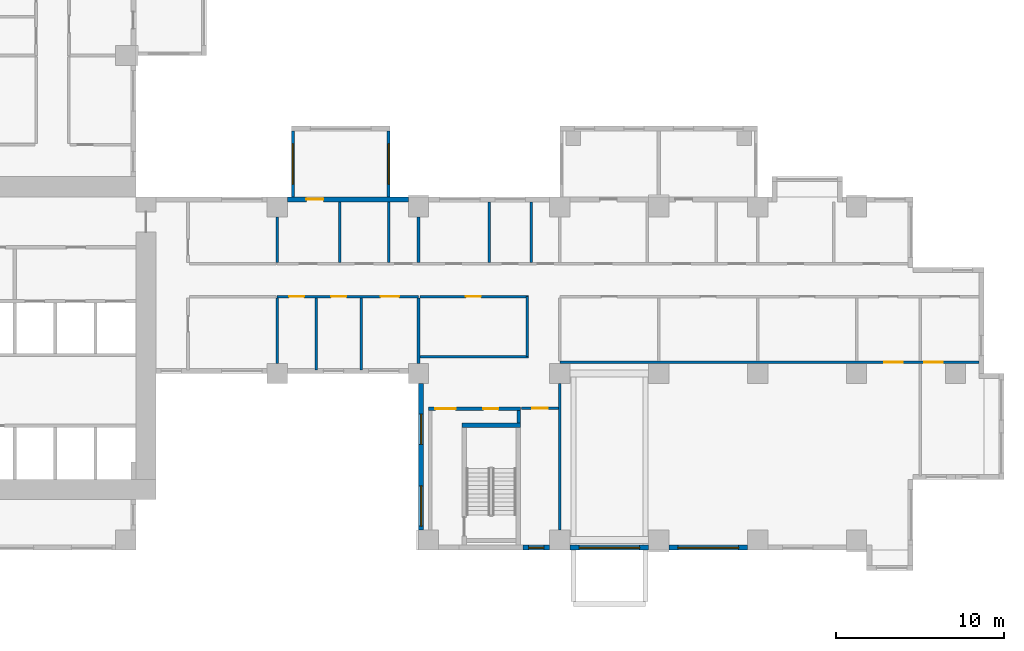
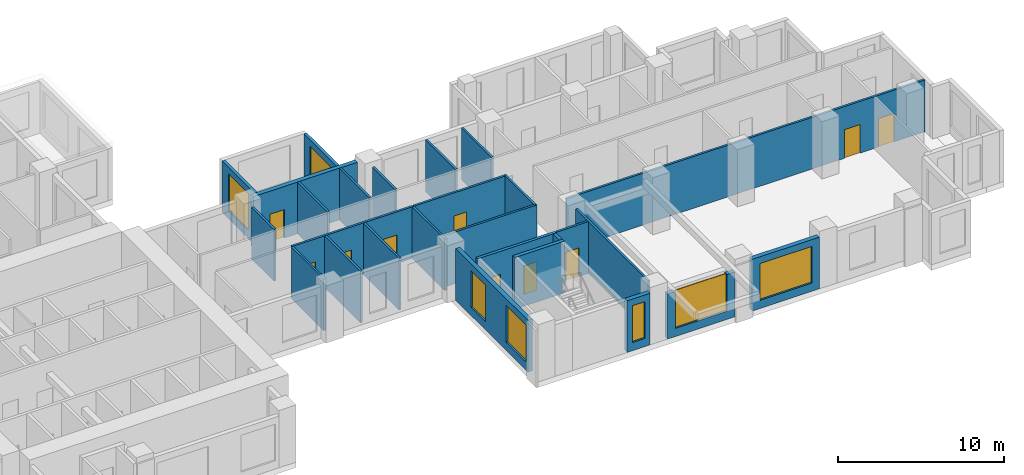
# One storey, part 4 of 14: 27 walls, 10 doors, 7 windows, 17 openings.
"""IFC4 building model written with IfcOpenShell, lengths in metres."""

from ifc_helpers import new_model, si_unit, direction, frame, frame_2d, origin, place, context, subcontext, project, spatial, rectangle, extrude, source, transform, mapped, material, layer, layer_set, type_object, element, fill, save


model = new_model("IFC4")

# Units and contexts
model_context = context("Model", 3, precision=1e-05, world=origin(), true_north=direction((0.0, 1.0)))
body_context = subcontext(model_context, "Body", "Model", "MODEL_VIEW")
ifc_project = project(units=[si_unit("LENGTHUNIT", "METRE"), si_unit("AREAUNIT", "SQUARE_METRE"), si_unit("VOLUMEUNIT", "CUBIC_METRE"), si_unit("PLANEANGLEUNIT", "RADIAN"), si_unit("MASSUNIT", "GRAM", prefix="KILO")], contexts=[model_context])

# Site, building, storey
site_placement = place(None, origin())
site = spatial("IfcSite", under=ifc_project, at=site_placement, CompositionType="ELEMENT")
building_placement = place(site_placement, origin())
building = spatial("IfcBuilding", under=site, at=building_placement, Name="Aurelian Terraces", CompositionType="ELEMENT")
storey_placement = place(building_placement, frame((0.0, 0.0, 53.1)))
storey = spatial("IfcBuildingStorey", under=building, at=storey_placement, Name="L10", CompositionType="ELEMENT", Elevation=53.1)

# Wall, opening, door
ifc_material_1 = material(Name="Terracotta rainscreen cladding", Category="masonry")
ifc_layer_1 = layer(ifc_material_1, 0.3)
ifc_layer_set_1 = layer_set([ifc_layer_1], Name="EW-300")
wall_type_1 = type_object("IfcWallType", Name="EW-300", PredefinedType="STANDARD", material=ifc_layer_set_1)
shared_shape_1 = source(origin(), body_context, "Body", "SweptSolid", [
    extrude(rectangle(XDim=7.2, YDim=0.3, at=frame_2d((3.6, 0.0))), origin(), (0.0, 0.0, 1.0), 3.8),
])
wall_1_placement = place(storey_placement, frame((37.2, 20.85, 0.0), z_axis=(0.0, 0.0, 1.0), x_axis=(-1.0, 0.0, 0.0)))
wall_1 = element("IfcWall", 1, at=wall_1_placement, inside=storey, type_object=wall_type_1, Name="External wall L10 F11.24", PredefinedType="STANDARD", context=body_context, shape_type="MappedRepresentation", body=[
    mapped(shared_shape_1, transform((0.0, 0.0, 0.0), scale=1.0)),
])
shared_shape_2 = source(origin(), body_context, "Body", "SweptSolid", [
    extrude(rectangle(XDim=1.0, YDim=2.1, at=frame_2d((0.5, 1.05))), frame((0.0, 0.16, 0.0), z_axis=(0.0, -1.0, 0.0), x_axis=(1.0, 0.0, 0.0)), (0.0, 0.0, 1.0), 0.32),
])
opening_1_placement = place(wall_1_placement, frame((5.06, 0.0, 0.0)))
opening_1 = element("IfcOpeningElement", 2, at=opening_1_placement, cuts=wall_1, Name="Opening 810002", PredefinedType="OPENING", context=body_context, shape_type="MappedRepresentation", body=[
    mapped(shared_shape_2, transform((0.0, 0.0, 0.0), scale=1.0)),
])
ifc_material_2 = material(Name="Timber door leaf", Category="wood")
door_type_1 = type_object("IfcDoorType", Name="Room door 1000x2100 left", OperationType="SINGLE_SWING_LEFT", PredefinedType="DOOR", material=ifc_material_2)
shared_shape_3 = source(origin(), body_context, "Body", "SweptSolid", [
    extrude(rectangle(XDim=1.0, YDim=2.1, at=frame_2d((0.5, 1.05))), frame((0.0, 0.025, 0.0), z_axis=(0.0, -1.0, 0.0), x_axis=(1.0, 0.0, 0.0)), (0.0, 0.0, 1.0), 0.05),
])
door_1_placement = place(opening_1_placement, origin())
door_1 = element("IfcDoor", 3, at=door_1_placement, inside=storey, type_object=door_type_1, Name="Door 810002", OperationType="SINGLE_SWING_LEFT", OverallHeight=2.1, OverallWidth=1.0, PredefinedType="DOOR", context=body_context, shape_type="MappedRepresentation", body=[
    mapped(shared_shape_3, transform((0.0, 0.0, 0.0), scale=1.0)),
])
fill(opening_1, door_1)

# Wall, opening, window
shared_shape_4 = source(origin(), body_context, "Body", "SweptSolid", [
    extrude(rectangle(XDim=4.68, YDim=0.3, at=frame_2d((2.34, 0.0))), origin(), (0.0, 0.0, 1.0), 3.8),
])
wall_2_placement = place(storey_placement, frame((52.68, 0.15, 0.0), z_axis=(0.0, 0.0, 1.0), x_axis=(1.0, 0.0, 0.0)))
wall_2 = element("IfcWall", 4, at=wall_2_placement, inside=storey, type_object=wall_type_1, Name="External wall L10 F05.11", PredefinedType="STANDARD", context=body_context, shape_type="MappedRepresentation", body=[
    mapped(shared_shape_4, transform((0.0, 0.0, 0.0), scale=1.0)),
])
shared_shape_5 = source(origin(), body_context, "Body", "SweptSolid", [
    extrude(rectangle(XDim=3.6, YDim=2.7, at=frame_2d((1.8, 1.35))), frame((0.0, 0.16, 0.0), z_axis=(0.0, -1.0, 0.0), x_axis=(1.0, 0.0, 0.0)), (0.0, 0.0, 1.0), 0.32),
])
opening_2_placement = place(wall_2_placement, frame((0.54, 0.0, 0.6)))
opening_2 = element("IfcOpeningElement", 5, at=opening_2_placement, cuts=wall_2, Name="Opening W3627", PredefinedType="OPENING", context=body_context, shape_type="MappedRepresentation", body=[
    mapped(shared_shape_5, transform((0.0, 0.0, 0.0), scale=1.0)),
])
ifc_material_3 = material(Name="Clear glazing", Category="glass")
window_type_1 = type_object("IfcWindowType", Name="W-3600x2700", PartitioningType="SINGLE_PANEL", PredefinedType="WINDOW", material=ifc_material_3)
shared_shape_6 = source(origin(), body_context, "Body", "SweptSolid", [
    extrude(rectangle(XDim=3.6, YDim=2.7, at=frame_2d((1.8, 1.35))), frame((0.0, 0.03, 0.0), z_axis=(0.0, -1.0, 0.0), x_axis=(1.0, 0.0, 0.0)), (0.0, 0.0, 1.0), 0.06),
])
window_1_placement = place(opening_2_placement, origin())
window_1 = element("IfcWindow", 6, at=window_1_placement, inside=storey, type_object=window_type_1, Name="Window L10 L10-F05-11-0", OverallHeight=2.7, OverallWidth=3.6, PartitioningType="SINGLE_PANEL", PredefinedType="WINDOW", context=body_context, shape_type="MappedRepresentation", body=[
    mapped(shared_shape_6, transform((0.0, 0.0, 0.0), scale=1.0)),
])
fill(opening_2, window_1)

shared_shape_7 = source(origin(), body_context, "Body", "SweptSolid", [
    extrude(rectangle(XDim=4.68, YDim=0.3, at=frame_2d((2.34, 0.0))), origin(), (0.0, 0.0, 1.0), 3.3),
])
wall_3_placement = place(storey_placement, frame((46.8, 0.15, 0.0), z_axis=(0.0, 0.0, 1.0), x_axis=(1.0, 0.0, 0.0)))
wall_3 = element("IfcWall", 7, at=wall_3_placement, inside=storey, type_object=wall_type_1, Name="External wall L10 F05.10", PredefinedType="STANDARD", context=body_context, shape_type="MappedRepresentation", body=[
    mapped(shared_shape_7, transform((0.0, 0.0, 0.0), scale=1.0)),
])
opening_3_placement = place(wall_3_placement, frame((0.54, 0.0, 0.6)))
opening_3 = element("IfcOpeningElement", 8, at=opening_3_placement, cuts=wall_3, Name="Opening W3627", PredefinedType="OPENING", context=body_context, shape_type="MappedRepresentation", body=[
    mapped(shared_shape_5, transform((0.0, 0.0, 0.0), scale=1.0)),
])
window_2_placement = place(opening_3_placement, origin())
window_2 = element("IfcWindow", 9, at=window_2_placement, inside=storey, type_object=window_type_1, Name="Window L10 L10-F05-10-0", OverallHeight=2.7, OverallWidth=3.6, PartitioningType="SINGLE_PANEL", PredefinedType="WINDOW", context=body_context, shape_type="MappedRepresentation", body=[
    mapped(shared_shape_6, transform((0.0, 0.0, 0.0), scale=1.0)),
])
fill(opening_3, window_2)

shared_shape_8 = source(origin(), body_context, "Body", "SweptSolid", [
    extrude(rectangle(XDim=1.6, YDim=0.3, at=frame_2d((0.8, 0.0))), origin(), (0.0, 0.0, 1.0), 3.8),
])
wall_4_placement = place(storey_placement, frame((44.0, 0.15, 0.0), z_axis=(0.0, 0.0, 1.0), x_axis=(1.0, 0.0, 0.0)))
wall_4 = element("IfcWall", 10, at=wall_4_placement, inside=storey, type_object=wall_type_1, Name="External wall L10 F05.9", PredefinedType="STANDARD", context=body_context, shape_type="MappedRepresentation", body=[
    mapped(shared_shape_8, transform((0.0, 0.0, 0.0), scale=1.0)),
])
shared_shape_9 = source(origin(), body_context, "Body", "SweptSolid", [
    extrude(rectangle(XDim=0.9, YDim=2.7, at=frame_2d((0.45, 1.35))), frame((0.0, 0.16, 0.0), z_axis=(0.0, -1.0, 0.0), x_axis=(1.0, 0.0, 0.0)), (0.0, 0.0, 1.0), 0.32),
])
opening_4_placement = place(wall_4_placement, frame((0.35, 0.0, 0.6)))
opening_4 = element("IfcOpeningElement", 11, at=opening_4_placement, cuts=wall_4, Name="Opening W0927", PredefinedType="OPENING", context=body_context, shape_type="MappedRepresentation", body=[
    mapped(shared_shape_9, transform((0.0, 0.0, 0.0), scale=1.0)),
])
window_type_2 = type_object("IfcWindowType", Name="W-900x2700", PartitioningType="SINGLE_PANEL", PredefinedType="WINDOW", material=ifc_material_3)
shared_shape_10 = source(origin(), body_context, "Body", "SweptSolid", [
    extrude(rectangle(XDim=0.9, YDim=2.7, at=frame_2d((0.45, 1.35))), frame((0.0, 0.03, 0.0), z_axis=(0.0, -1.0, 0.0), x_axis=(1.0, 0.0, 0.0)), (0.0, 0.0, 1.0), 0.06),
])
window_3_placement = place(opening_4_placement, origin())
window_3 = element("IfcWindow", 12, at=window_3_placement, inside=storey, type_object=window_type_2, Name="Window L10 L10-F05-09-P2", OverallHeight=2.7, OverallWidth=0.9, PartitioningType="SINGLE_PANEL", PredefinedType="WINDOW", context=body_context, shape_type="MappedRepresentation", body=[
    mapped(shared_shape_10, transform((0.0, 0.0, 0.0), scale=1.0)),
])
fill(opening_4, window_3)

ifc_material_4 = material(Name="Concrete fc' 40 MPa", Category="concrete")
ifc_layer_2 = layer(ifc_material_4, 0.2)
ifc_layer_set_2 = layer_set([ifc_layer_2], Name="BOX BEARING WALL 200")
wall_type_2 = type_object("IfcWallType", Name="BOX BEARING WALL 200", PredefinedType="SOLIDWALL", material=ifc_layer_set_2)
shared_shape_11 = source(origin(), body_context, "Body", "SweptSolid", [
    extrude(rectangle(XDim=3.9, YDim=0.2, at=frame_2d((1.95, 0.0))), origin(), (0.0, 0.0, 1.0), 3.79),
])
wall_5_placement = place(storey_placement, frame((36.02, 21.0, 0.0), z_axis=(0.0, 0.0, 1.0), x_axis=(0.0, 1.0, 0.0)))
wall_5 = element("IfcWall", 13, at=wall_5_placement, inside=storey, type_object=wall_type_2, Name="Box return L10 J06.1", PredefinedType="SOLIDWALL", context=body_context, shape_type="MappedRepresentation", body=[
    mapped(shared_shape_11, transform((0.0, 0.0, 0.0), scale=1.0)),
])
shared_shape_12 = source(origin(), body_context, "Body", "SweptSolid", [
    extrude(rectangle(XDim=2.4, YDim=2.7, at=frame_2d((1.2, 1.35))), frame((0.0, 0.11, 0.0), z_axis=(0.0, -1.0, 0.0), x_axis=(1.0, 0.0, 0.0)), (0.0, 0.0, 1.0), 0.22),
])
opening_5_placement = place(wall_5_placement, frame((0.75, 0.0, 0.6)))
opening_5 = element("IfcOpeningElement", 14, at=opening_5_placement, cuts=wall_5, Name="Opening W2427", PredefinedType="OPENING", context=body_context, shape_type="MappedRepresentation", body=[
    mapped(shared_shape_12, transform((0.0, 0.0, 0.0), scale=1.0)),
])
window_type_3 = type_object("IfcWindowType", Name="W-2400x2700", PartitioningType="SINGLE_PANEL", PredefinedType="WINDOW", material=ifc_material_3)
shared_shape_13 = source(origin(), body_context, "Body", "SweptSolid", [
    extrude(rectangle(XDim=2.4, YDim=2.7, at=frame_2d((1.2, 1.35))), frame((0.0, 0.03, 0.0), z_axis=(0.0, -1.0, 0.0), x_axis=(1.0, 0.0, 0.0)), (0.0, 0.0, 1.0), 0.06),
])
window_4_placement = place(opening_5_placement, origin())
window_4 = element("IfcWindow", 15, at=window_4_placement, inside=storey, type_object=window_type_3, Name="Window L10 J06-S1", OverallHeight=2.7, OverallWidth=2.4, PartitioningType="SINGLE_PANEL", PredefinedType="WINDOW", context=body_context, shape_type="MappedRepresentation", body=[
    mapped(shared_shape_13, transform((0.0, 0.0, 0.0), scale=1.0)),
])
fill(opening_5, window_4)

wall_6_placement = place(storey_placement, frame((30.34, 21.0, 0.0), z_axis=(0.0, 0.0, 1.0), x_axis=(0.0, 1.0, 0.0)))
wall_6 = element("IfcWall", 16, at=wall_6_placement, inside=storey, type_object=wall_type_2, Name="Box return L10 J06.2", PredefinedType="SOLIDWALL", context=body_context, shape_type="MappedRepresentation", body=[
    mapped(shared_shape_11, transform((0.0, 0.0, 0.0), scale=1.0)),
])
opening_6_placement = place(wall_6_placement, frame((0.75, 0.0, 0.6)))
opening_6 = element("IfcOpeningElement", 17, at=opening_6_placement, cuts=wall_6, Name="Opening W2427", PredefinedType="OPENING", context=body_context, shape_type="MappedRepresentation", body=[
    mapped(shared_shape_12, transform((0.0, 0.0, 0.0), scale=1.0)),
])
window_5_placement = place(opening_6_placement, origin())
window_5 = element("IfcWindow", 18, at=window_5_placement, inside=storey, type_object=window_type_3, Name="Window L10 J06-S2", OverallHeight=2.7, OverallWidth=2.4, PartitioningType="SINGLE_PANEL", PredefinedType="WINDOW", context=body_context, shape_type="MappedRepresentation", body=[
    mapped(shared_shape_13, transform((0.0, 0.0, 0.0), scale=1.0)),
])
fill(opening_6, window_5)

# Wall, openings, windows
shared_shape_14 = source(origin(), body_context, "Body", "SweptSolid", [
    extrude(rectangle(XDim=8.7, YDim=0.3, at=frame_2d((4.35, 0.0))), origin(), (0.0, 0.0, 1.0), 3.8),
])
wall_7_placement = place(storey_placement, frame((37.95, 9.9, 0.0), z_axis=(0.0, 0.0, 1.0), x_axis=(0.0, -1.0, 0.0)))
wall_7 = element("IfcWall", 19, at=wall_7_placement, inside=storey, type_object=wall_type_1, Name="External wall L10 F04.8", PredefinedType="STANDARD", context=body_context, shape_type="MappedRepresentation", body=[
    mapped(shared_shape_14, transform((0.0, 0.0, 0.0), scale=1.0)),
])
shared_shape_15 = source(origin(), body_context, "Body", "SweptSolid", [
    extrude(rectangle(XDim=1.8, YDim=2.7, at=frame_2d((0.9, 1.35))), frame((0.0, 0.16, 0.0), z_axis=(0.0, -1.0, 0.0), x_axis=(1.0, 0.0, 0.0)), (0.0, 0.0, 1.0), 0.32),
])
opening_7_placement = place(wall_7_placement, frame((1.8125, 0.0, 0.6)))
opening_7 = element("IfcOpeningElement", 20, at=opening_7_placement, cuts=wall_7, Name="Opening W1827", PredefinedType="OPENING", context=body_context, shape_type="MappedRepresentation", body=[
    mapped(shared_shape_15, transform((0.0, 0.0, 0.0), scale=1.0)),
])
shared_shape_16 = source(origin(), body_context, "Body", "SweptSolid", [
    extrude(rectangle(XDim=2.4, YDim=2.7, at=frame_2d((1.2, 1.35))), frame((0.0, 0.16, 0.0), z_axis=(0.0, -1.0, 0.0), x_axis=(1.0, 0.0, 0.0)), (0.0, 0.0, 1.0), 0.32),
])
opening_8_placement = place(wall_7_placement, frame((6.075, 0.0, 0.6)))
opening_8 = element("IfcOpeningElement", 21, at=opening_8_placement, cuts=wall_7, Name="Opening W2427", PredefinedType="OPENING", context=body_context, shape_type="MappedRepresentation", body=[
    mapped(shared_shape_16, transform((0.0, 0.0, 0.0), scale=1.0)),
])
window_6_placement = place(opening_8_placement, origin())
window_6 = element("IfcWindow", 22, at=window_6_placement, inside=storey, type_object=window_type_3, Name="Window L10 L10-F04-08-1", OverallHeight=2.7, OverallWidth=2.4, PartitioningType="SINGLE_PANEL", PredefinedType="WINDOW", context=body_context, shape_type="MappedRepresentation", body=[
    mapped(shared_shape_13, transform((0.0, 0.0, 0.0), scale=1.0)),
])
fill(opening_8, window_6)
window_type_4 = type_object("IfcWindowType", Name="W-1800x2700", PartitioningType="SINGLE_PANEL", PredefinedType="WINDOW", material=ifc_material_3)
shared_shape_17 = source(origin(), body_context, "Body", "SweptSolid", [
    extrude(rectangle(XDim=1.8, YDim=2.7, at=frame_2d((0.9, 1.35))), frame((0.0, 0.03, 0.0), z_axis=(0.0, -1.0, 0.0), x_axis=(1.0, 0.0, 0.0)), (0.0, 0.0, 1.0), 0.06),
])
window_7_placement = place(opening_7_placement, origin())
window_7 = element("IfcWindow", 23, at=window_7_placement, inside=storey, type_object=window_type_4, Name="Window L10 L10-F04-08-0", OverallHeight=2.7, OverallWidth=1.8, PartitioningType="SINGLE_PANEL", PredefinedType="WINDOW", context=body_context, shape_type="MappedRepresentation", body=[
    mapped(shared_shape_17, transform((0.0, 0.0, 0.0), scale=1.0)),
])
fill(opening_7, window_7)

# Wall
ifc_layer_3 = layer(ifc_material_4, 0.25)
ifc_layer_set_3 = layer_set([ifc_layer_3], Name="Stair enclosure wall 250")
wall_type_3 = type_object("IfcWallType", Name="Stair enclosure wall 250", PredefinedType="SOLIDWALL", material=ifc_layer_set_3)
shared_shape_18 = source(origin(), body_context, "Body", "SweptSolid", [
    extrude(rectangle(XDim=3.45, YDim=0.25, at=frame_2d((1.725, 0.0))), origin(), (0.0, 0.0, 1.0), 3.8),
])
wall_8_placement = place(storey_placement, frame((40.4, 7.425, 0.0), z_axis=(0.0, 0.0, 1.0), x_axis=(1.0, 0.0, 0.0)))
element("IfcWall", 24, at=wall_8_placement, inside=storey, type_object=wall_type_3, Name="L10 core wall ST-S2-N", PredefinedType="SOLIDWALL", context=body_context, shape_type="MappedRepresentation", body=[
    mapped(shared_shape_18, transform((0.0, 0.0, 0.0), scale=1.0)),
])

# Wall, openings, doors
ifc_material_5 = material(Name="Gypsum board on steel studs", Category="steel")
ifc_layer_4 = layer(ifc_material_5, 0.2)
ifc_layer_set_4 = layer_set([ifc_layer_4], Name="Core partition 200")
wall_type_4 = type_object("IfcWallType", Name="Core partition 200", PredefinedType="PARTITIONING", material=ifc_layer_set_4)
shared_shape_19 = source(origin(), body_context, "Body", "SweptSolid", [
    extrude(rectangle(XDim=5.45, YDim=0.2, at=frame_2d((2.725, 0.0))), origin(), (0.0, 0.0, 1.0), 3.8),
])
wall_9_placement = place(storey_placement, frame((38.4, 8.4, 0.0), z_axis=(0.0, 0.0, 1.0), x_axis=(1.0, 0.0, 0.0)))
wall_9 = element("IfcWall", 25, at=wall_9_placement, inside=storey, type_object=wall_type_4, Name="L10 core wall ST-S2-BN", PredefinedType="PARTITIONING", context=body_context, shape_type="MappedRepresentation", body=[
    mapped(shared_shape_19, transform((0.0, 0.0, 0.0), scale=1.0)),
])
shared_shape_20 = source(origin(), body_context, "Body", "SweptSolid", [
    extrude(rectangle(XDim=1.2, YDim=2.1, at=frame_2d((0.6, 1.05))), frame((0.0, 0.11, 0.0), z_axis=(0.0, -1.0, 0.0), x_axis=(1.0, 0.0, 0.0)), (0.0, 0.0, 1.0), 0.22),
])
opening_9_placement = place(wall_9_placement, frame((0.4, 0.0, 0.0)))
opening_9 = element("IfcOpeningElement", 26, at=opening_9_placement, cuts=wall_9, Name="Opening 61315", PredefinedType="OPENING", context=body_context, shape_type="MappedRepresentation", body=[
    mapped(shared_shape_20, transform((0.0, 0.0, 0.0), scale=1.0)),
])
shared_shape_21 = source(origin(), body_context, "Body", "SweptSolid", [
    extrude(rectangle(XDim=0.9, YDim=2.1, at=frame_2d((0.45, 1.05))), frame((0.0, 0.11, 0.0), z_axis=(0.0, -1.0, 0.0), x_axis=(1.0, 0.0, 0.0)), (0.0, 0.0, 1.0), 0.22),
])
opening_10_placement = place(wall_9_placement, frame((3.25, 0.0, 0.0)))
opening_10 = element("IfcOpeningElement", 27, at=opening_10_placement, cuts=wall_9, Name="Opening 61316", PredefinedType="OPENING", context=body_context, shape_type="MappedRepresentation", body=[
    mapped(shared_shape_21, transform((0.0, 0.0, 0.0), scale=1.0)),
])
ifc_material_6 = material(Name="Steel door leaf", Category="steel")
door_type_2 = type_object("IfcDoorType", Name="Core riser door 900x2100 right", OperationType="SINGLE_SWING_RIGHT", PredefinedType="DOOR", material=ifc_material_6)
shared_shape_22 = source(origin(), body_context, "Body", "SweptSolid", [
    extrude(rectangle(XDim=0.9, YDim=2.1, at=frame_2d((0.45, 1.05))), frame((0.0, 0.025, 0.0), z_axis=(0.0, -1.0, 0.0), x_axis=(1.0, 0.0, 0.0)), (0.0, 0.0, 1.0), 0.05),
])
door_2_placement = place(opening_10_placement, origin())
door_2 = element("IfcDoor", 28, at=door_2_placement, inside=storey, type_object=door_type_2, Name="Riser door 61316", OperationType="SINGLE_SWING_RIGHT", OverallHeight=2.1, OverallWidth=0.9, PredefinedType="DOOR", context=body_context, shape_type="MappedRepresentation", body=[
    mapped(shared_shape_22, transform((0.0, 0.0, 0.0), scale=1.0)),
])
fill(opening_10, door_2)
door_type_3 = type_object("IfcDoorType", Name="Core fire door 1200x2100", OperationType="SINGLE_SWING_LEFT", PredefinedType="DOOR", material=ifc_material_6)
shared_shape_23 = source(origin(), body_context, "Body", "SweptSolid", [
    extrude(rectangle(XDim=1.2, YDim=2.1, at=frame_2d((0.6, 1.05))), frame((0.0, 0.025, 0.0), z_axis=(0.0, -1.0, 0.0), x_axis=(1.0, 0.0, 0.0)), (0.0, 0.0, 1.0), 0.05),
])
door_3_placement = place(opening_9_placement, origin())
door_3 = element("IfcDoor", 29, at=door_3_placement, inside=storey, type_object=door_type_3, Name="Vestibule door 61315", OperationType="SINGLE_SWING_LEFT", OverallHeight=2.1, OverallWidth=1.2, PredefinedType="DOOR", context=body_context, shape_type="MappedRepresentation", body=[
    mapped(shared_shape_23, transform((0.0, 0.0, 0.0), scale=1.0)),
])
fill(opening_9, door_3)

# Walls
shared_shape_24 = source(origin(), body_context, "Body", "SweptSolid", [
    extrude(rectangle(XDim=0.75, YDim=0.2, at=frame_2d((0.375, 0.0))), origin(), (0.0, 0.0, 1.0), 3.8),
])
wall_10_placement = place(storey_placement, frame((43.75, 7.55, 0.0), z_axis=(0.0, 0.0, 1.0), x_axis=(0.0, 1.0, 0.0)))
element("IfcWall", 30, at=wall_10_placement, inside=storey, type_object=wall_type_4, Name="L10 core wall ST-S2-RE", PredefinedType="PARTITIONING", context=body_context, shape_type="MappedRepresentation", body=[
    mapped(shared_shape_24, transform((0.0, 0.0, 0.0), scale=1.0)),
])
ifc_layer_5 = layer(ifc_material_5, 0.15)
ifc_layer_set_5 = layer_set([ifc_layer_5], Name="Partition 150")
wall_type_5 = type_object("IfcWallType", Name="Partition 150", PredefinedType="PARTITIONING", material=ifc_layer_set_5)
shared_shape_25 = source(origin(), body_context, "Body", "SweptSolid", [
    extrude(rectangle(XDim=6.45, YDim=0.15, at=frame_2d((3.225, 0.0))), origin(), (0.0, 0.0, 1.0), 3.8),
])
wall_11_placement = place(storey_placement, frame((37.875, 11.5, 0.0), z_axis=(0.0, 0.0, 1.0), x_axis=(1.0, 0.0, 0.0)))
element("IfcWall", 31, at=wall_11_placement, inside=storey, type_object=wall_type_5, Name="Partition", PredefinedType="PARTITIONING", context=body_context, shape_type="MappedRepresentation", body=[
    mapped(shared_shape_25, transform((0.0, 0.0, 0.0), scale=1.0)),
])

# Wall, opening, door
ifc_layer_6 = layer(ifc_material_5, 0.15)
ifc_layer_set_6 = layer_set([ifc_layer_6], Name="Fire partition 150")
wall_type_6 = type_object("IfcWallType", Name="Fire partition 150", PredefinedType="PARTITIONING", material=ifc_layer_set_6)
wall_12_placement = place(storey_placement, frame((44.325, 15.075, 0.0), z_axis=(0.0, 0.0, 1.0), x_axis=(-1.0, 0.0, 0.0)))
wall_12 = element("IfcWall", 32, at=wall_12_placement, inside=storey, type_object=wall_type_6, Name="Corridor wall", PredefinedType="PARTITIONING", context=body_context, shape_type="MappedRepresentation", body=[
    mapped(shared_shape_25, transform((0.0, 0.0, 0.0), scale=1.0)),
])
shared_shape_26 = source(origin(), body_context, "Body", "SweptSolid", [
    extrude(rectangle(XDim=0.9, YDim=2.1, at=frame_2d((0.45, 1.05))), frame((0.0, 0.085, 0.0), z_axis=(0.0, -1.0, 0.0), x_axis=(1.0, 0.0, 0.0)), (0.0, 0.0, 1.0), 0.17),
])
opening_11_placement = place(wall_12_placement, frame((2.8125, 0.0, 0.0)))
opening_11 = element("IfcOpeningElement", 33, at=opening_11_placement, cuts=wall_12, Name="Opening 710003", PredefinedType="OPENING", context=body_context, shape_type="MappedRepresentation", body=[
    mapped(shared_shape_26, transform((0.0, 0.0, 0.0), scale=1.0)),
])
door_type_4 = type_object("IfcDoorType", Name="Room door 900x2100 right", OperationType="SINGLE_SWING_RIGHT", PredefinedType="DOOR", material=ifc_material_2)
door_4_placement = place(opening_11_placement, origin())
door_4 = element("IfcDoor", 34, at=door_4_placement, inside=storey, type_object=door_type_4, Name="Door 710003", OperationType="SINGLE_SWING_RIGHT", OverallHeight=2.1, OverallWidth=0.9, PredefinedType="DOOR", context=body_context, shape_type="MappedRepresentation", body=[
    mapped(shared_shape_22, transform((0.0, 0.0, 0.0), scale=1.0)),
])
fill(opening_11, door_4)

# Walls
shared_shape_27 = source(origin(), body_context, "Body", "SweptSolid", [
    extrude(rectangle(XDim=8.702, YDim=0.15, at=frame_2d((4.351, 0.0))), origin(), (0.0, 0.0, 1.0), 3.8),
])
wall_13_placement = place(storey_placement, frame((46.2, 1.199, 0.0), z_axis=(0.0, 0.0, 1.0), x_axis=(0.0, 1.0, 0.0)))
element("IfcWall", 35, at=wall_13_placement, inside=storey, type_object=wall_type_5, Name="Partition", PredefinedType="PARTITIONING", context=body_context, shape_type="MappedRepresentation", body=[
    mapped(shared_shape_27, transform((0.0, 0.0, 0.0), scale=1.0)),
])
shared_shape_28 = source(origin(), body_context, "Body", "SweptSolid", [
    extrude(rectangle(XDim=3.6, YDim=0.15, at=frame_2d((1.8, 0.0))), origin(), (0.0, 0.0, 1.0), 3.8),
])
for number, where, z_axis, x_axis, name in (
    (36, (33.1133, 20.7, 0.0), (0.0, 0.0, 1.0), (0.0, -1.0, 0.0), "Partition"),
    (37, (36.024, 20.7, 0.0), (0.0, 0.0, 1.0), (0.0, -1.0, 0.0), "Partition"),
    (38, (44.5011, 20.7, 0.0), (0.0, 0.0, 1.0), (0.0, -1.0, 0.0), "Partition"),
    (39, (42.0, 17.1, 0.0), (0.0, 0.0, 1.0), (0.0, 1.0, 0.0), "Partition"),
):
    element("IfcWall", number, at=place(storey_placement, frame(where, z_axis=z_axis, x_axis=x_axis)), inside=storey, type_object=wall_type_5, Name=name, PredefinedType="PARTITIONING", context=body_context, shape_type="MappedRepresentation", body=[
        mapped(shared_shape_28, transform((0.0, 0.0, 0.0), scale=1.0)),
    ])
shared_shape_29 = source(origin(), body_context, "Body", "SweptSolid", [
    extrude(rectangle(XDim=2.701, YDim=0.15, at=frame_2d((1.3505, 0.0))), origin(), (0.0, 0.0, 1.0), 3.8),
])
for number, where, z_axis, x_axis, name in (
    (40, (29.4, 17.1, 0.0), (0.0, 0.0, 1.0), (0.0, 1.0, 0.0), "Partition"),
    (41, (37.8, 17.1, 0.0), (0.0, 0.0, 1.0), (0.0, 1.0, 0.0), "Partition"),
):
    element("IfcWall", number, at=place(storey_placement, frame(where, z_axis=z_axis, x_axis=x_axis)), inside=storey, type_object=wall_type_5, Name=name, PredefinedType="PARTITIONING", context=body_context, shape_type="MappedRepresentation", body=[
        mapped(shared_shape_29, transform((0.0, 0.0, 0.0), scale=1.0)),
    ])

# Wall, openings, doors
shared_shape_30 = source(origin(), body_context, "Body", "SweptSolid", [
    extrude(rectangle(XDim=8.4, YDim=0.15, at=frame_2d((4.2, 0.0))), origin(), (0.0, 0.0, 1.0), 3.8),
])
wall_14_placement = place(storey_placement, frame((37.8, 15.075, 0.0), z_axis=(0.0, 0.0, 1.0), x_axis=(-1.0, 0.0, 0.0)))
wall_14 = element("IfcWall", 42, at=wall_14_placement, inside=storey, type_object=wall_type_6, Name="Corridor wall", PredefinedType="PARTITIONING", context=body_context, shape_type="MappedRepresentation", body=[
    mapped(shared_shape_30, transform((0.0, 0.0, 0.0), scale=1.0)),
])
shared_shape_31 = source(origin(), body_context, "Body", "SweptSolid", [
    extrude(rectangle(XDim=1.1, YDim=2.1, at=frame_2d((0.55, 1.05))), frame((0.0, 0.085, 0.0), z_axis=(0.0, -1.0, 0.0), x_axis=(1.0, 0.0, 0.0)), (0.0, 0.0, 1.0), 0.17),
])
opening_12_placement = place(wall_14_placement, frame((1.1485, 0.0, 0.0)))
opening_12 = element("IfcOpeningElement", 43, at=opening_12_placement, cuts=wall_14, Name="Opening 710005", PredefinedType="OPENING", context=body_context, shape_type="MappedRepresentation", body=[
    mapped(shared_shape_31, transform((0.0, 0.0, 0.0), scale=1.0)),
])
opening_13_placement = place(wall_14_placement, frame((6.7949, 0.0, 0.0)))
opening_13 = element("IfcOpeningElement", 44, at=opening_13_placement, cuts=wall_14, Name="Opening 710006", PredefinedType="OPENING", context=body_context, shape_type="MappedRepresentation", body=[
    mapped(shared_shape_26, transform((0.0, 0.0, 0.0), scale=1.0)),
])
opening_14_placement = place(wall_14_placement, frame((4.2935, 0.0, 0.0)))
opening_14 = element("IfcOpeningElement", 45, at=opening_14_placement, cuts=wall_14, Name="Opening 710007", PredefinedType="OPENING", context=body_context, shape_type="MappedRepresentation", body=[
    mapped(shared_shape_26, transform((0.0, 0.0, 0.0), scale=1.0)),
])
door_type_5 = type_object("IfcDoorType", Name="Room door 900x2100 left", OperationType="SINGLE_SWING_LEFT", PredefinedType="DOOR", material=ifc_material_2)
door_5_placement = place(opening_13_placement, origin())
door_5 = element("IfcDoor", 46, at=door_5_placement, inside=storey, type_object=door_type_5, Name="Door 710006", OperationType="SINGLE_SWING_LEFT", OverallHeight=2.1, OverallWidth=0.9, PredefinedType="DOOR", context=body_context, shape_type="MappedRepresentation", body=[
    mapped(shared_shape_22, transform((0.0, 0.0, 0.0), scale=1.0)),
])
fill(opening_13, door_5)
door_6_placement = place(opening_14_placement, origin())
door_6 = element("IfcDoor", 47, at=door_6_placement, inside=storey, type_object=door_type_4, Name="Door 710007", OperationType="SINGLE_SWING_RIGHT", OverallHeight=2.1, OverallWidth=0.9, PredefinedType="DOOR", context=body_context, shape_type="MappedRepresentation", body=[
    mapped(shared_shape_22, transform((0.0, 0.0, 0.0), scale=1.0)),
])
fill(opening_14, door_6)
door_type_6 = type_object("IfcDoorType", Name="Room door 1100x2100 left", OperationType="SINGLE_SWING_LEFT", PredefinedType="DOOR", material=ifc_material_2)
shared_shape_32 = source(origin(), body_context, "Body", "SweptSolid", [
    extrude(rectangle(XDim=1.1, YDim=2.1, at=frame_2d((0.55, 1.05))), frame((0.0, 0.025, 0.0), z_axis=(0.0, -1.0, 0.0), x_axis=(1.0, 0.0, 0.0)), (0.0, 0.0, 1.0), 0.05),
])
door_7_placement = place(opening_12_placement, origin())
door_7 = element("IfcDoor", 48, at=door_7_placement, inside=storey, type_object=door_type_6, Name="Door 710005", OperationType="SINGLE_SWING_LEFT", OverallHeight=2.1, OverallWidth=1.1, PredefinedType="DOOR", context=body_context, shape_type="MappedRepresentation", body=[
    mapped(shared_shape_32, transform((0.0, 0.0, 0.0), scale=1.0)),
])
fill(opening_12, door_7)

shared_shape_33 = source(origin(), body_context, "Body", "SweptSolid", [
    extrude(rectangle(XDim=24.9, YDim=0.15, at=frame_2d((12.45, 0.0))), origin(), (0.0, 0.0, 1.0), 3.8),
])
wall_15_placement = place(storey_placement, frame((71.1, 11.175, 0.0), z_axis=(0.0, 0.0, 1.0), x_axis=(-1.0, 0.0, 0.0)))
wall_15 = element("IfcWall", 49, at=wall_15_placement, inside=storey, type_object=wall_type_5, Name="Partition", PredefinedType="PARTITIONING", context=body_context, shape_type="MappedRepresentation", body=[
    mapped(shared_shape_33, transform((0.0, 0.0, 0.0), scale=1.0)),
])
opening_15_placement = place(wall_15_placement, frame((4.5075, 0.0, 0.0)))
opening_15 = element("IfcOpeningElement", 50, at=opening_15_placement, cuts=wall_15, Name="Opening 710009", PredefinedType="OPENING", context=body_context, shape_type="MappedRepresentation", body=[
    mapped(shared_shape_31, transform((0.0, 0.0, 0.0), scale=1.0)),
])
opening_16_placement = place(wall_15_placement, frame((2.1425, 0.0, 0.0)))
opening_16 = element("IfcOpeningElement", 51, at=opening_16_placement, cuts=wall_15, Name="Opening 710014", PredefinedType="OPENING", context=body_context, shape_type="MappedRepresentation", body=[
    mapped(shared_shape_31, transform((0.0, 0.0, 0.0), scale=1.0)),
])
door_type_7 = type_object("IfcDoorType", Name="Room door 1100x2100 right", OperationType="SINGLE_SWING_RIGHT", PredefinedType="DOOR", material=ifc_material_2)
door_8_placement = place(opening_15_placement, origin())
door_8 = element("IfcDoor", 52, at=door_8_placement, inside=storey, type_object=door_type_7, Name="Door 710009", OperationType="SINGLE_SWING_RIGHT", OverallHeight=2.1, OverallWidth=1.1, PredefinedType="DOOR", context=body_context, shape_type="MappedRepresentation", body=[
    mapped(shared_shape_32, transform((0.0, 0.0, 0.0), scale=1.0)),
])
fill(opening_15, door_8)
door_9_placement = place(opening_16_placement, origin())
door_9 = element("IfcDoor", 53, at=door_9_placement, inside=storey, type_object=door_type_7, Name="Door 710014", OperationType="SINGLE_SWING_RIGHT", OverallHeight=2.1, OverallWidth=1.1, PredefinedType="DOOR", context=body_context, shape_type="MappedRepresentation", body=[
    mapped(shared_shape_32, transform((0.0, 0.0, 0.0), scale=1.0)),
])
fill(opening_16, door_9)

# Walls
shared_shape_34 = source(origin(), body_context, "Body", "SweptSolid", [
    extrude(rectangle(XDim=3.901, YDim=0.15, at=frame_2d((1.9505, 0.0))), origin(), (0.0, 0.0, 1.0), 3.8),
])
for number, where, z_axis, x_axis, name in (
    (54, (29.4, 11.099, 0.0), (0.0, 0.0, 1.0), (0.0, 1.0, 0.0), "Partition"),
    (55, (37.8, 11.099, 0.0), (0.0, 0.0, 1.0), (0.0, 1.0, 0.0), "Partition"),
):
    element("IfcWall", number, at=place(storey_placement, frame(where, z_axis=z_axis, x_axis=x_axis)), inside=storey, type_object=wall_type_5, Name=name, PredefinedType="PARTITIONING", context=body_context, shape_type="MappedRepresentation", body=[
        mapped(shared_shape_34, transform((0.0, 0.0, 0.0), scale=1.0)),
    ])

# Wall, opening, door
shared_shape_35 = source(origin(), body_context, "Body", "SweptSolid", [
    extrude(rectangle(XDim=2.2, YDim=0.15, at=frame_2d((1.1, 0.0))), origin(), (0.0, 0.0, 1.0), 3.8),
])
wall_16_placement = place(storey_placement, frame((46.125, 8.425, 0.0), z_axis=(0.0, 0.0, 1.0), x_axis=(-1.0, 0.0, 0.0)))
wall_16 = element("IfcWall", 56, at=wall_16_placement, inside=storey, type_object=wall_type_5, Name="Partition", PredefinedType="PARTITIONING", context=body_context, shape_type="MappedRepresentation", body=[
    mapped(shared_shape_35, transform((0.0, 0.0, 0.0), scale=1.0)),
])
opening_17_placement = place(wall_16_placement, frame((0.65, 0.0, 0.0)))
opening_17 = element("IfcOpeningElement", 57, at=opening_17_placement, cuts=wall_16, Name="Opening 710004", PredefinedType="OPENING", context=body_context, shape_type="MappedRepresentation", body=[
    mapped(shared_shape_26, transform((0.0, 0.0, 0.0), scale=1.0)),
])
door_10_placement = place(opening_17_placement, origin())
door_10 = element("IfcDoor", 58, at=door_10_placement, inside=storey, type_object=door_type_4, Name="Door 710004", OperationType="SINGLE_SWING_RIGHT", OverallHeight=2.1, OverallWidth=0.9, PredefinedType="DOOR", context=body_context, shape_type="MappedRepresentation", body=[
    mapped(shared_shape_22, transform((0.0, 0.0, 0.0), scale=1.0)),
])
fill(opening_17, door_10)

# Walls
shared_shape_36 = source(origin(), body_context, "Body", "SweptSolid", [
    extrude(rectangle(XDim=3.575, YDim=0.15, at=frame_2d((1.7875, 0.0))), origin(), (0.0, 0.0, 1.0), 3.8),
])
wall_17_placement = place(storey_placement, frame((44.25, 11.5, 0.0), z_axis=(0.0, 0.0, 1.0), x_axis=(0.0, 1.0, 0.0)))
element("IfcWall", 59, at=wall_17_placement, inside=storey, type_object=wall_type_5, Name="Partition", PredefinedType="PARTITIONING", context=body_context, shape_type="MappedRepresentation", body=[
    mapped(shared_shape_36, transform((0.0, 0.0, 0.0), scale=1.0)),
])
shared_shape_37 = source(origin(), body_context, "Body", "SweptSolid", [
    extrude(rectangle(XDim=4.295, YDim=0.15, at=frame_2d((2.1475, 0.0))), origin(), (0.0, 0.0, 1.0), 3.8),
])
for number, where, z_axis, x_axis, name in (
    (60, (31.7101, 10.705, 0.0), (0.0, 0.0, 1.0), (0.0, 1.0, 0.0), "Partition"),
    (61, (34.403, 10.705, 0.0), (0.0, 0.0, 1.0), (0.0, 1.0, 0.0), "Partition"),
):
    element("IfcWall", number, at=place(storey_placement, frame(where, z_axis=z_axis, x_axis=x_axis)), inside=storey, type_object=wall_type_5, Name=name, PredefinedType="PARTITIONING", context=body_context, shape_type="MappedRepresentation", body=[
        mapped(shared_shape_37, transform((0.0, 0.0, 0.0), scale=1.0)),
    ])

save(model, "model.ifc")
